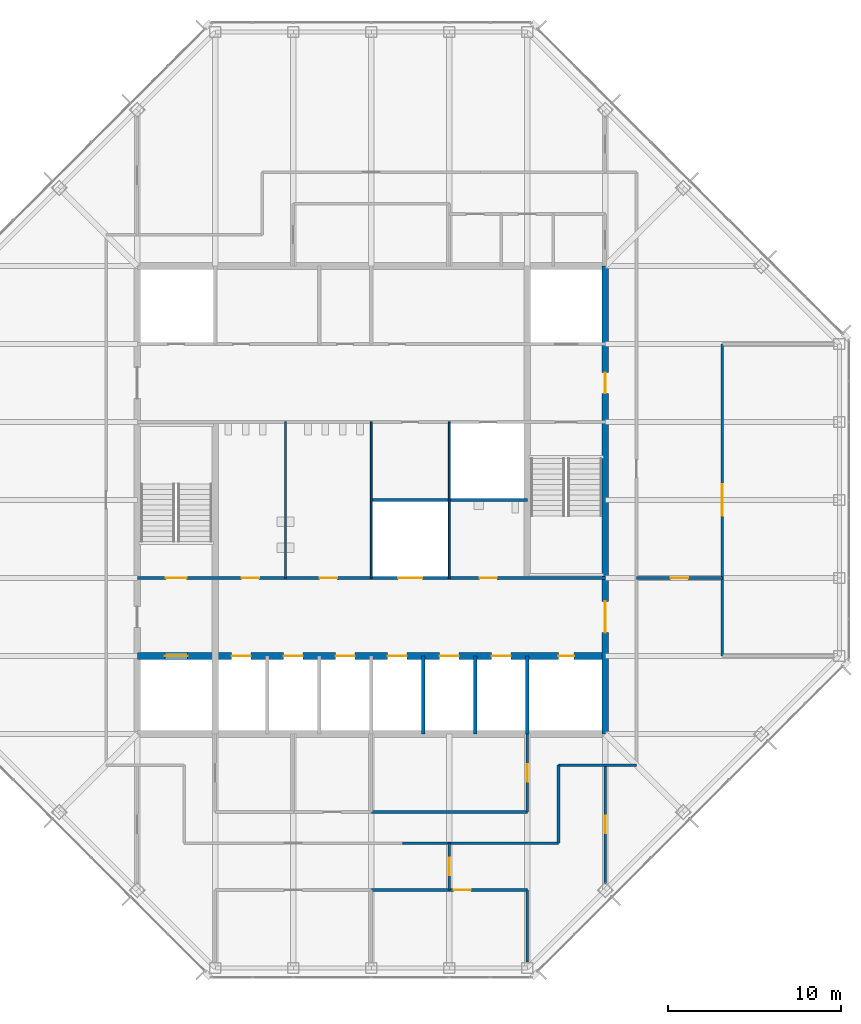
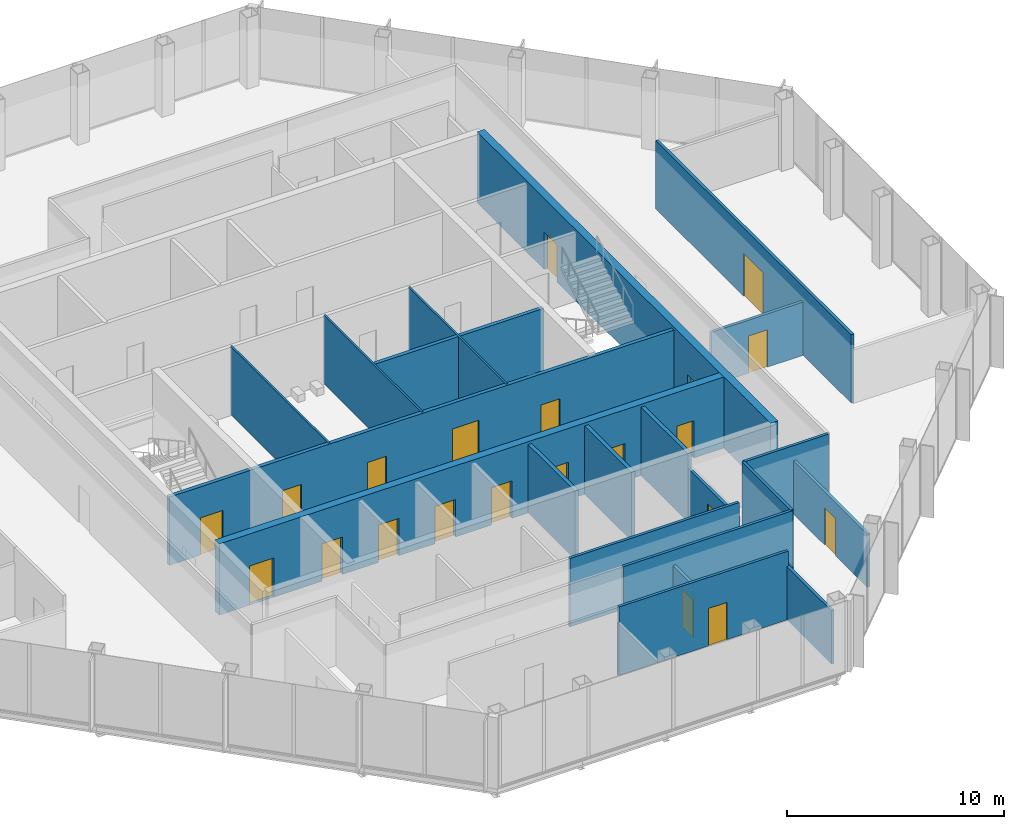
# One storey, part 10 of 14: 21 doors, 21 walls, 21 openings.
"""IFC4 building model written with IfcOpenShell, lengths in metres."""

import ifcopenshell
import ifcopenshell.guid

model = None  # the IFC model being written
_history = None  # IfcOwnerHistory: only IFC2X3 demands one
_inside = {}  # id of a spatial element -> (the spatial element, [elements in it])
_under = {}  # id of a project, library or spatial element -> (it, [spatial elements below it])
_declared = {}  # id of a project -> (the project, [libraries it declares])
_typed = {}  # id of a type object -> (the type object, [elements of that type])
_made_of = {}  # id of a material, layer set ... -> (it, [elements and type objects made of it])


def new_model(schema):
    """Start an empty IFC model of exactly this schema.

    Asked for "IFC4X3", IfcOpenShell would pick the latest addendum, in which some entities
    have other attributes; the version numbers below select the first issue.
    IFC2X3 requires an IfcOwnerHistory on every rooted entity: one is made here for all.
    """
    global model, _history
    if schema == "IFC4X3":
        model = ifcopenshell.file(schema_version=(4, 3, 0, 0))
    else:
        model = ifcopenshell.file(schema=schema)
    _inside.clear()
    _under.clear()
    _declared.clear()
    _typed.clear()
    _made_of.clear()
    _history = None
    if model.schema == "IFC2X3":
        org = make("IfcOrganization", Name="unknown")
        user = make(
            "IfcPersonAndOrganization",
            ThePerson=make("IfcPerson", FamilyName="unknown"),
            TheOrganization=org,
        )
        app = make(
            "IfcApplication",
            ApplicationDeveloper=org,
            Version="unknown",
            ApplicationFullName="unknown",
            ApplicationIdentifier="unknown",
        )
        _history = make(
            "IfcOwnerHistory",
            OwningUser=user,
            OwningApplication=app,
            ChangeAction="ADDED",
            CreationDate=0,
        )
    return model


def make(cls, **values):
    """One entity of the class cls with the attributes given. An attribute that is None is left unset."""
    return model.create_entity(
        cls, **{name: value for name, value in values.items() if value is not None}
    )


def rooted(cls, **values):
    """An entity with a GlobalId (a new one), such as an element, a storey or a relation."""
    return make(cls, GlobalId=ifcopenshell.guid.new(), OwnerHistory=_history, **values)


def si_unit(unit_type, name, prefix=None):
    """IfcSIUnit, for example si_unit("LENGTHUNIT", "METRE", prefix="MILLI")."""
    return make("IfcSIUnit", UnitType=unit_type, Prefix=prefix, Name=name)


def assignment(units):
    """IfcUnitAssignment: the units of a project."""
    return None if units is None else make("IfcUnitAssignment", Units=units)


def point(xyz):
    """IfcCartesianPoint."""
    return None if xyz is None else make("IfcCartesianPoint", Coordinates=xyz)


def direction(xyz):
    """IfcDirection."""
    return None if xyz is None else make("IfcDirection", DirectionRatios=xyz)


def frame(location, z_axis=None, x_axis=None):
    """IfcAxis2Placement3D, a coordinate frame: its origin and axes. An axis left out is left unset."""
    return make(
        "IfcAxis2Placement3D",
        Location=point(location),
        Axis=direction(z_axis),
        RefDirection=direction(x_axis),
    )


def frame_2d(location, x_axis=None):
    """IfcAxis2Placement2D, a coordinate frame in the plane: its origin and x axis."""
    return make(
        "IfcAxis2Placement2D", Location=point(location), RefDirection=direction(x_axis)
    )


def origin():
    """The frame at (0, 0, 0) with its axes left unset."""
    return frame((0.0, 0.0, 0.0))


def place(relative_to, where):
    """IfcLocalPlacement: puts the frame where relative to a parent placement (None: the world)."""
    return make(
        "IfcLocalPlacement", PlacementRelTo=relative_to, RelativePlacement=where
    )


def context(
    kind, dimensions, precision=None, world=None, true_north=None, identifier=None
):
    """IfcGeometricRepresentationContext, for example the 3D "Model" context."""
    return make(
        "IfcGeometricRepresentationContext",
        ContextIdentifier=identifier,
        ContextType=kind,
        CoordinateSpaceDimension=dimensions,
        Precision=precision,
        WorldCoordinateSystem=world,
        TrueNorth=true_north,
    )


def subcontext(parent, identifier, kind, view, scale=None):
    """IfcGeometricRepresentationSubContext, for example "Body" below "Model"."""
    return make(
        "IfcGeometricRepresentationSubContext",
        ContextIdentifier=identifier,
        ContextType=kind,
        ParentContext=parent,
        TargetScale=scale,
        TargetView=view,
    )


def project(units=None, contexts=None):
    """IfcProject with its units and contexts."""
    return rooted(
        "IfcProject",
        Name="project",
        RepresentationContexts=contexts,
        UnitsInContext=assignment(units),
    )


def spatial(cls, under=None, at=None, **own):
    """A site, building, storey or space (cls), placed at a placement, below another one or the project."""
    s = rooted(cls, ObjectPlacement=at, **own)
    if under is not None:
        _under.setdefault(under.id(), (under, []))[1].append(s)
    return s


def profile(cls, at=None, kind="AREA", **sizes):
    """A parametric profile (cls). Its sizes go by their IFC names, for example OverallWidth=200.0."""
    return make(cls, ProfileType=kind, Position=at, **sizes)


def rectangle(**sizes):
    """IfcRectangleProfileDef."""
    return profile("IfcRectangleProfileDef", **sizes)


def extrude(swept, where, along, depth):
    """IfcExtrudedAreaSolid: the profile swept, set in the frame where, extruded along a direction by depth."""
    return make(
        "IfcExtrudedAreaSolid",
        SweptArea=swept,
        Position=where,
        ExtrudedDirection=direction(along),
        Depth=depth,
    )


def shape(context_of_items, identifier, shape_type, items):
    """IfcShapeRepresentation: the items that make up one representation, for example the "Body"."""
    return make(
        "IfcShapeRepresentation",
        ContextOfItems=context_of_items,
        RepresentationIdentifier=identifier,
        RepresentationType=shape_type,
        Items=items,
    )


def material(Name=None, Category=None):
    """IfcMaterial."""
    return make("IfcMaterial", Name=Name, Category=Category)


def layer(
    of_material, thickness, ventilated=None, Name=None, Category=None, Priority=None
):
    """IfcMaterialLayer: one layer of a wall or slab, of a material (None: an air gap)."""
    return make(
        "IfcMaterialLayer",
        Material=of_material,
        LayerThickness=thickness,
        IsVentilated=ventilated,
        Name=Name,
        Category=Category,
        Priority=Priority,
    )


def layer_set(layers, Name=None):
    """IfcMaterialLayerSet."""
    return make("IfcMaterialLayerSet", MaterialLayers=layers, LayerSetName=Name)


def made_of(thing, what):
    """Note that an element or type object is made of a material, layer set ...; save() writes the relation."""
    if what is not None:
        _made_of.setdefault(what.id(), (what, []))[1].append(thing)
    return thing


def type_object(cls, material=None, **own):
    """A type object (cls), such as IfcWallType, which elements share."""
    return made_of(rooted(cls, **own), material)


def element(
    cls,
    number,
    at=None,
    inside=None,
    cuts=None,
    type_object=None,
    material=None,
    context=None,
    identifier="Body",
    shape_type=None,
    held_by="IfcProductDefinitionShape",
    body=None,
    shapes=None,
    **own,
):
    """One element of the class cls, such as IfcWall. Its Tag is "e" and its number.

    at: its placement. inside: the storey or other place that contains it. cuts: it is an
    opening in that element (IfcRelVoidsElement). A single representation is given by context,
    identifier, shape_type and body (its items); several are given by shapes. held_by: the class
    of the entity that holds the representations. save() writes the other relations.
    """
    e = rooted(cls, Tag="e%d" % number, ObjectPlacement=at, **own)
    if body is not None:
        shapes = [shape(context, identifier, shape_type, body)]
    if shapes is not None:
        e.Representation = make(held_by, Representations=shapes)
    if inside is not None:
        _inside.setdefault(inside.id(), (inside, []))[1].append(e)
    if cuts is not None:
        rooted(
            "IfcRelVoidsElement", RelatingBuildingElement=cuts, RelatedOpeningElement=e
        )
    if type_object is not None:
        _typed.setdefault(type_object.id(), (type_object, []))[1].append(e)
    return made_of(e, material)


def fill(opening, filler):
    """IfcRelFillsElement: the door or window that sits in an opening."""
    return rooted(
        "IfcRelFillsElement",
        RelatingOpeningElement=opening,
        RelatedBuildingElement=filler,
    )


def aggregate(whole, parts):
    """IfcRelAggregates: a whole, such as a stair, and the parts it consists of."""
    return rooted("IfcRelAggregates", RelatingObject=whole, RelatedObjects=parts)


def save(model, path):
    """Write the relations noted so far, then the file.

    IfcRelAggregates (storeys below a building ...), IfcRelContainedInSpatialStructure (elements
    in a storey), IfcRelDefinesByType, IfcRelAssociatesMaterial and IfcRelDeclares: one each for
    every whole, place, type object, material and project.
    """
    for whole, parts in _under.values():
        aggregate(whole, parts)
    for where, things in _inside.values():
        rooted(
            "IfcRelContainedInSpatialStructure",
            RelatedElements=things,
            RelatingStructure=where,
        )
    for kind, things in _typed.values():
        rooted("IfcRelDefinesByType", RelatedObjects=things, RelatingType=kind)
    for what, things in _made_of.values():
        rooted("IfcRelAssociatesMaterial", RelatedObjects=things, RelatingMaterial=what)
    for by, libraries in _declared.values():
        rooted("IfcRelDeclares", RelatingContext=by, RelatedDefinitions=libraries)
    model.write(path)


model = new_model("IFC4")

# Units and contexts
model_context = context("Model", 3, precision=1e-05, world=origin(), true_north=direction((0.0, 1.0)))
body_context = subcontext(model_context, "Body", "Model", "MODEL_VIEW")
ifc_project = project(units=[si_unit("LENGTHUNIT", "METRE"), si_unit("AREAUNIT", "SQUARE_METRE"), si_unit("VOLUMEUNIT", "CUBIC_METRE"), si_unit("PLANEANGLEUNIT", "RADIAN"), si_unit("MASSUNIT", "GRAM", prefix="KILO")], contexts=[model_context])

# Site, building, storey
site_placement = place(None, origin())
site = spatial("IfcSite", under=ifc_project, at=site_placement, CompositionType="ELEMENT")
building_placement = place(site_placement, origin())
building = spatial("IfcBuilding", under=site, at=building_placement, Name="Corais Broadcast Tower", CompositionType="ELEMENT")
storey_placement = place(building_placement, frame((0.0, 0.0, 230.60009765625)))
storey = spatial("IfcBuildingStorey", under=building, at=storey_placement, Name="L53", CompositionType="ELEMENT", Elevation=230.60009765625)

# Wall
ifc_material_1 = material(Name="Concrete blockwork class A, grouted, two-hour", Category="masonry")
ifc_layer_1 = layer(ifc_material_1, 0.199951171875)
ifc_layer_set_1 = layer_set([ifc_layer_1], Name="Concrete blockwork class A, grouted, two-hour")
wall_type_1 = type_object("IfcWallType", Name="Core lobby wall 200", PredefinedType="SOLIDWALL", material=ifc_layer_set_1)
wall_1_placement = place(storey_placement, frame((36.0, 13.5, 0.0), z_axis=(0.0, 0.0, 1.0), x_axis=(0.0, 1.0, 0.0)))
element("IfcWall", 1, at=wall_1_placement, inside=storey, type_object=wall_type_1, Name="CL3 core shaft wall X36A L53", PredefinedType="SOLIDWALL", context=body_context, shape_type="SweptSolid", body=[
    extrude(rectangle(XDim=4.5, YDim=0.199951171875, at=frame_2d((2.25, 0.0))), origin(), (0.0, 0.0, 1.0), 3.83984375),
])

# Wall, openings, doors
wall_2_placement = place(storey_placement, frame((13.5, 22.5, 0.0), z_axis=(0.0, 0.0, 1.0), x_axis=(1.0, 0.0, 0.0)))
wall_2 = element("IfcWall", 2, at=wall_2_placement, inside=storey, type_object=wall_type_1, Name="CL3 core lobby wall Y225 L53", PredefinedType="SOLIDWALL", context=body_context, shape_type="SweptSolid", body=[
    extrude(rectangle(XDim=27.0, YDim=0.199951171875, at=frame_2d((13.5, 0.0))), origin(), (0.0, 0.0, 1.0), 3.83984375),
])
opening_1_placement = place(wall_2_placement, frame((1.64990234375, 0.0, 0.0)))
opening_1 = element("IfcOpeningElement", 3, at=opening_1_placement, cuts=wall_2, Name="Opening FD1", PredefinedType="OPENING", context=body_context, shape_type="SweptSolid", body=[
    extrude(rectangle(XDim=1.199951171875, YDim=2.10009765625, at=frame_2d((0.60009765625, 1.050048828125))), frame((0.0, 0.10986328125, 0.0), z_axis=(0.0, -1.0, 0.0), x_axis=(1.0, 0.0, 0.0)), (0.0, 0.0, 1.0), 0.219970703125),
])
opening_2_placement = place(wall_2_placement, frame((6.02490234375, 0.0, 0.0)))
opening_2 = element("IfcOpeningElement", 4, at=opening_2_placement, cuts=wall_2, Name="Opening WD1", PredefinedType="OPENING", context=body_context, shape_type="SweptSolid", body=[
    extrude(rectangle(XDim=1.0, YDim=2.10009765625, at=frame_2d((0.5, 1.050048828125))), frame((0.0, 0.10986328125, 0.0), z_axis=(0.0, -1.0, 0.0), x_axis=(1.0, 0.0, 0.0)), (0.0, 0.0, 1.0), 0.219970703125),
])
opening_3_placement = place(wall_2_placement, frame((10.52490234375, 0.0, 0.0)))
opening_3 = element("IfcOpeningElement", 5, at=opening_3_placement, cuts=wall_2, Name="Opening WD1", PredefinedType="OPENING", context=body_context, shape_type="SweptSolid", body=[
    extrude(rectangle(XDim=1.0, YDim=2.10009765625, at=frame_2d((0.5, 1.050048828125))), frame((0.0, 0.10986328125, 0.0), z_axis=(0.0, -1.0, 0.0), x_axis=(1.0, 0.0, 0.0)), (0.0, 0.0, 1.0), 0.219970703125),
])
opening_4_placement = place(wall_2_placement, frame((19.75, 0.0, 0.0)))
opening_4 = element("IfcOpeningElement", 6, at=opening_4_placement, cuts=wall_2, Name="Opening WD1", PredefinedType="OPENING", context=body_context, shape_type="SweptSolid", body=[
    extrude(rectangle(XDim=1.0, YDim=2.10009765625, at=frame_2d((0.5, 1.050048828125))), frame((0.0, 0.10986328125, 0.0), z_axis=(0.0, -1.0, 0.0), x_axis=(1.0, 0.0, 0.0)), (0.0, 0.0, 1.0), 0.219970703125),
])
opening_5_placement = place(wall_2_placement, frame((15.050048828125, 0.0, 0.0)))
opening_5 = element("IfcOpeningElement", 7, at=opening_5_placement, cuts=wall_2, Name="Opening LD3", PredefinedType="OPENING", context=body_context, shape_type="SweptSolid", body=[
    extrude(rectangle(XDim=1.39990234375, YDim=2.39990234375, at=frame_2d((0.699951171875, 1.199951171875))), frame((0.0, 0.10986328125, 0.0), z_axis=(0.0, -1.0, 0.0), x_axis=(1.0, 0.0, 0.0)), (0.0, 0.0, 1.0), 0.219970703125),
])
ifc_material_2 = material(Name="Steel fire door", Category="steel")
door_type_1 = type_object("IfcDoorType", Name="Fire door 1200x2100", OperationType="SINGLE_SWING_LEFT", PredefinedType="DOOR", material=ifc_material_2)
door_1_placement = place(opening_1_placement, origin())
door_1 = element("IfcDoor", 8, at=door_1_placement, inside=storey, type_object=door_type_1, Name="FD1 stair A door L53", OperationType="SINGLE_SWING_LEFT", OverallHeight=2.10009765625, OverallWidth=1.199951171875, PredefinedType="DOOR", context=body_context, shape_type="SweptSolid", body=[
    extrude(rectangle(XDim=1.199951171875, YDim=2.10009765625, at=frame_2d((0.60009765625, 1.050048828125))), frame((0.0, 0.02490234375, 0.0), z_axis=(0.0, -1.0, 0.0), x_axis=(1.0, 0.0, 0.0)), (0.0, 0.0, 1.0), 0.050048828125),
])
fill(opening_1, door_1)
ifc_material_3 = material(Name="Stainless steel lift door", Category="steel")
door_type_2 = type_object("IfcDoorType", Name="Service lift landing door 1400x2400", OperationType="SLIDING_TO_LEFT", PredefinedType="DOOR", material=ifc_material_3)
door_2_placement = place(opening_5_placement, origin())
door_2 = element("IfcDoor", 9, at=door_2_placement, inside=storey, type_object=door_type_2, Name="LD3 SL1 landing door L53", OperationType="SLIDING_TO_LEFT", OverallHeight=2.39990234375, OverallWidth=1.39990234375, PredefinedType="DOOR", context=body_context, shape_type="SweptSolid", body=[
    extrude(rectangle(XDim=1.39990234375, YDim=2.39990234375, at=frame_2d((0.699951171875, 1.199951171875))), frame((0.0, 0.02490234375, 0.0), z_axis=(0.0, -1.0, 0.0), x_axis=(1.0, 0.0, 0.0)), (0.0, 0.0, 1.0), 0.050048828125),
])
fill(opening_5, door_2)
ifc_material_4 = material(Name="Timber door", Category="wood")
door_type_3 = type_object("IfcDoorType", Name="Toilet door 1000x2100", OperationType="SINGLE_SWING_LEFT", PredefinedType="DOOR", material=ifc_material_4)
door_3_placement = place(opening_2_placement, origin())
door_3 = element("IfcDoor", 10, at=door_3_placement, inside=storey, type_object=door_type_3, Name="WD1 WC male door L53", OperationType="SINGLE_SWING_LEFT", OverallHeight=2.10009765625, OverallWidth=1.0, PredefinedType="DOOR", context=body_context, shape_type="SweptSolid", body=[
    extrude(rectangle(XDim=1.0, YDim=2.10009765625, at=frame_2d((0.5, 1.050048828125))), frame((0.0, 0.02490234375, 0.0), z_axis=(0.0, -1.0, 0.0), x_axis=(1.0, 0.0, 0.0)), (0.0, 0.0, 1.0), 0.050048828125),
])
fill(opening_2, door_3)
door_4_placement = place(opening_3_placement, origin())
door_4 = element("IfcDoor", 11, at=door_4_placement, inside=storey, type_object=door_type_3, Name="WD1 WC female door L53", OperationType="SINGLE_SWING_LEFT", OverallHeight=2.10009765625, OverallWidth=1.0, PredefinedType="DOOR", context=body_context, shape_type="SweptSolid", body=[
    extrude(rectangle(XDim=1.0, YDim=2.10009765625, at=frame_2d((0.5, 1.050048828125))), frame((0.0, 0.02490234375, 0.0), z_axis=(0.0, -1.0, 0.0), x_axis=(1.0, 0.0, 0.0)), (0.0, 0.0, 1.0), 0.050048828125),
])
fill(opening_3, door_4)
door_5_placement = place(opening_4_placement, origin())
door_5 = element("IfcDoor", 12, at=door_5_placement, inside=storey, type_object=door_type_3, Name="WD1 accessible WC door L53", OperationType="SINGLE_SWING_RIGHT", OverallHeight=2.10009765625, OverallWidth=1.0, PredefinedType="DOOR", context=body_context, shape_type="SweptSolid", body=[
    extrude(rectangle(XDim=1.0, YDim=2.10009765625, at=frame_2d((0.5, 1.050048828125))), frame((0.0, 0.02490234375, 0.0), z_axis=(0.0, -1.0, 0.0), x_axis=(1.0, 0.0, 0.0)), (0.0, 0.0, 1.0), 0.050048828125),
])
fill(opening_4, door_5)

ifc_material_5 = material(Name="Concrete C50/60", Category="concrete")
ifc_layer_2 = layer(ifc_material_5, 0.39990234375)
ifc_layer_set_2 = layer_set([ifc_layer_2], Name="Concrete C50/60")
wall_type_2 = type_object("IfcWallType", Name="Core wall 400", PredefinedType="SHEAR", material=ifc_layer_set_2)
wall_3_placement = place(storey_placement, frame((40.5, 13.5, 0.0), z_axis=(0.0, 0.0, 1.0), x_axis=(0.0, 1.0, 0.0)))
wall_3 = element("IfcWall", 13, at=wall_3_placement, inside=storey, type_object=wall_type_2, Name="CR400 core wall E L53", PredefinedType="SHEAR", context=body_context, shape_type="SweptSolid", body=[
    extrude(rectangle(XDim=27.0, YDim=0.39990234375, at=frame_2d((13.5, 0.0))), origin(), (0.0, 0.0, 1.0), 4.0),
])
opening_6_placement = place(wall_3_placement, frame((5.85009765625, 0.0, 0.0)))
opening_6 = element("IfcOpeningElement", 14, at=opening_6_placement, cuts=wall_3, Name="Opening FD2", PredefinedType="OPENING", context=body_context, shape_type="SweptSolid", body=[
    extrude(rectangle(XDim=1.800048828125, YDim=2.10009765625, at=frame_2d((0.89990234375, 1.050048828125))), frame((0.0, 0.2099609375, 0.0), z_axis=(0.0, -1.0, 0.0), x_axis=(1.0, 0.0, 0.0)), (0.0, 0.0, 1.0), 0.419921875),
])
opening_7_placement = place(wall_3_placement, frame((19.64990234375, 0.0, 0.0)))
opening_7 = element("IfcOpeningElement", 15, at=opening_7_placement, cuts=wall_3, Name="Opening FD1", PredefinedType="OPENING", context=body_context, shape_type="SweptSolid", body=[
    extrude(rectangle(XDim=1.199951171875, YDim=2.10009765625, at=frame_2d((0.60009765625, 1.050048828125))), frame((0.0, 0.2099609375, 0.0), z_axis=(0.0, -1.0, 0.0), x_axis=(1.0, 0.0, 0.0)), (0.0, 0.0, 1.0), 0.419921875),
])
door_6_placement = place(opening_7_placement, origin())
door_6 = element("IfcDoor", 16, at=door_6_placement, inside=storey, type_object=door_type_1, Name="FD1 fire lobby B door L53", OperationType="SINGLE_SWING_RIGHT", OverallHeight=2.10009765625, OverallWidth=1.199951171875, PredefinedType="DOOR", context=body_context, shape_type="SweptSolid", body=[
    extrude(rectangle(XDim=1.199951171875, YDim=2.10009765625, at=frame_2d((0.60009765625, 1.050048828125))), frame((0.0, 0.02490234375, 0.0), z_axis=(0.0, -1.0, 0.0), x_axis=(1.0, 0.0, 0.0)), (0.0, 0.0, 1.0), 0.050048828125),
])
fill(opening_7, door_6)
ifc_material_6 = material(Name="Steel fire door", Category="steel")
door_type_4 = type_object("IfcDoorType", Name="Fire door pair 1800x2100", OperationType="DOUBLE_DOOR_SINGLE_SWING", PredefinedType="DOOR", material=ifc_material_6)
door_7_placement = place(opening_6_placement, origin())
door_7 = element("IfcDoor", 17, at=door_7_placement, inside=storey, type_object=door_type_4, Name="FD2 lift lobby door L53", OperationType="SINGLE_SWING_LEFT", OverallHeight=2.10009765625, OverallWidth=1.800048828125, PredefinedType="DOOR", context=body_context, shape_type="SweptSolid", body=[
    extrude(rectangle(XDim=1.800048828125, YDim=2.10009765625, at=frame_2d((0.89990234375, 1.050048828125))), frame((0.0, 0.02490234375, 0.0), z_axis=(0.0, -1.0, 0.0), x_axis=(1.0, 0.0, 0.0)), (0.0, 0.0, 1.0), 0.050048828125),
])
fill(opening_6, door_7)

wall_4_placement = place(storey_placement, frame((13.5, 18.0, 0.0), z_axis=(0.0, 0.0, 1.0), x_axis=(1.0, 0.0, 0.0)))
wall_4 = element("IfcWall", 18, at=wall_4_placement, inside=storey, type_object=wall_type_2, Name="CR400 core wall Y18 L53", PredefinedType="SHEAR", context=body_context, shape_type="SweptSolid", body=[
    extrude(rectangle(XDim=27.0, YDim=0.39990234375, at=frame_2d((13.5, 0.0))), origin(), (0.0, 0.0, 1.0), 4.0),
])
opening_8_placement = place(wall_4_placement, frame((24.300048828125, 0.0, 0.0)))
opening_8 = element("IfcOpeningElement", 19, at=opening_8_placement, cuts=wall_4, Name="Opening RD1", PredefinedType="OPENING", context=body_context, shape_type="SweptSolid", body=[
    extrude(rectangle(XDim=0.89990234375, YDim=2.10009765625, at=frame_2d((0.449951171875, 1.050048828125))), frame((0.0, 0.2099609375, 0.0), z_axis=(0.0, -1.0, 0.0), x_axis=(1.0, 0.0, 0.0)), (0.0, 0.0, 1.0), 0.419921875),
])
opening_9_placement = place(wall_4_placement, frame((5.449951171875, 0.0, 0.0)))
opening_9 = element("IfcOpeningElement", 20, at=opening_9_placement, cuts=wall_4, Name="Opening LD1", PredefinedType="OPENING", context=body_context, shape_type="SweptSolid", body=[
    extrude(rectangle(XDim=1.10009765625, YDim=2.10009765625, at=frame_2d((0.550048828125, 1.050048828125))), frame((0.0, 0.2099609375, 0.0), z_axis=(0.0, -1.0, 0.0), x_axis=(1.0, 0.0, 0.0)), (0.0, 0.0, 1.0), 0.419921875),
])
opening_10_placement = place(wall_4_placement, frame((8.449951171875, 0.0, 0.0)))
opening_10 = element("IfcOpeningElement", 21, at=opening_10_placement, cuts=wall_4, Name="Opening LD1", PredefinedType="OPENING", context=body_context, shape_type="SweptSolid", body=[
    extrude(rectangle(XDim=1.10009765625, YDim=2.10009765625, at=frame_2d((0.550048828125, 1.050048828125))), frame((0.0, 0.2099609375, 0.0), z_axis=(0.0, -1.0, 0.0), x_axis=(1.0, 0.0, 0.0)), (0.0, 0.0, 1.0), 0.419921875),
])
opening_11_placement = place(wall_4_placement, frame((11.449951171875, 0.0, 0.0)))
opening_11 = element("IfcOpeningElement", 22, at=opening_11_placement, cuts=wall_4, Name="Opening LD1", PredefinedType="OPENING", context=body_context, shape_type="SweptSolid", body=[
    extrude(rectangle(XDim=1.10009765625, YDim=2.10009765625, at=frame_2d((0.550048828125, 1.050048828125))), frame((0.0, 0.2099609375, 0.0), z_axis=(0.0, -1.0, 0.0), x_axis=(1.0, 0.0, 0.0)), (0.0, 0.0, 1.0), 0.419921875),
])
opening_12_placement = place(wall_4_placement, frame((14.449951171875, 0.0, 0.0)))
opening_12 = element("IfcOpeningElement", 23, at=opening_12_placement, cuts=wall_4, Name="Opening LD1", PredefinedType="OPENING", context=body_context, shape_type="SweptSolid", body=[
    extrude(rectangle(XDim=1.10009765625, YDim=2.10009765625, at=frame_2d((0.550048828125, 1.050048828125))), frame((0.0, 0.2099609375, 0.0), z_axis=(0.0, -1.0, 0.0), x_axis=(1.0, 0.0, 0.0)), (0.0, 0.0, 1.0), 0.419921875),
])
opening_13_placement = place(wall_4_placement, frame((17.449951171875, 0.0, 0.0)))
opening_13 = element("IfcOpeningElement", 24, at=opening_13_placement, cuts=wall_4, Name="Opening LD1", PredefinedType="OPENING", context=body_context, shape_type="SweptSolid", body=[
    extrude(rectangle(XDim=1.10009765625, YDim=2.10009765625, at=frame_2d((0.550048828125, 1.050048828125))), frame((0.0, 0.2099609375, 0.0), z_axis=(0.0, -1.0, 0.0), x_axis=(1.0, 0.0, 0.0)), (0.0, 0.0, 1.0), 0.419921875),
])
opening_14_placement = place(wall_4_placement, frame((20.449951171875, 0.0, 0.0)))
opening_14 = element("IfcOpeningElement", 25, at=opening_14_placement, cuts=wall_4, Name="Opening LD1", PredefinedType="OPENING", context=body_context, shape_type="SweptSolid", body=[
    extrude(rectangle(XDim=1.10009765625, YDim=2.10009765625, at=frame_2d((0.550048828125, 1.050048828125))), frame((0.0, 0.2099609375, 0.0), z_axis=(0.0, -1.0, 0.0), x_axis=(1.0, 0.0, 0.0)), (0.0, 0.0, 1.0), 0.419921875),
])
opening_15_placement = place(wall_4_placement, frame((1.60009765625, 0.0, 0.0)))
opening_15 = element("IfcOpeningElement", 26, at=opening_15_placement, cuts=wall_4, Name="Opening LD2", PredefinedType="OPENING", context=body_context, shape_type="SweptSolid", body=[
    extrude(rectangle(XDim=1.300048828125, YDim=2.199951171875, at=frame_2d((0.64990234375, 1.10009765625))), frame((0.0, 0.2099609375, 0.0), z_axis=(0.0, -1.0, 0.0), x_axis=(1.0, 0.0, 0.0)), (0.0, 0.0, 1.0), 0.419921875),
])
ifc_material_7 = material(Name="Stainless steel lift door", Category="steel")
door_type_5 = type_object("IfcDoorType", Name="Lift landing door 1100x2100", OperationType="SLIDING_TO_LEFT", PredefinedType="DOOR", material=ifc_material_7)
door_8_placement = place(opening_9_placement, origin())
door_8 = element("IfcDoor", 27, at=door_8_placement, inside=storey, type_object=door_type_5, Name="LD1 PH1 landing door L53", OperationType="SLIDING_TO_LEFT", OverallHeight=2.10009765625, OverallWidth=1.10009765625, PredefinedType="DOOR", context=body_context, shape_type="SweptSolid", body=[
    extrude(rectangle(XDim=1.10009765625, YDim=2.10009765625, at=frame_2d((0.550048828125, 1.050048828125))), frame((0.0, 0.02490234375, 0.0), z_axis=(0.0, -1.0, 0.0), x_axis=(1.0, 0.0, 0.0)), (0.0, 0.0, 1.0), 0.050048828125),
])
fill(opening_9, door_8)
door_9_placement = place(opening_10_placement, origin())
door_9 = element("IfcDoor", 28, at=door_9_placement, inside=storey, type_object=door_type_5, Name="LD1 PH2 landing door L53", OperationType="SLIDING_TO_LEFT", OverallHeight=2.10009765625, OverallWidth=1.10009765625, PredefinedType="DOOR", context=body_context, shape_type="SweptSolid", body=[
    extrude(rectangle(XDim=1.10009765625, YDim=2.10009765625, at=frame_2d((0.550048828125, 1.050048828125))), frame((0.0, 0.02490234375, 0.0), z_axis=(0.0, -1.0, 0.0), x_axis=(1.0, 0.0, 0.0)), (0.0, 0.0, 1.0), 0.050048828125),
])
fill(opening_10, door_9)
door_10_placement = place(opening_11_placement, origin())
door_10 = element("IfcDoor", 29, at=door_10_placement, inside=storey, type_object=door_type_5, Name="LD1 PH3 landing door L53", OperationType="SLIDING_TO_LEFT", OverallHeight=2.10009765625, OverallWidth=1.10009765625, PredefinedType="DOOR", context=body_context, shape_type="SweptSolid", body=[
    extrude(rectangle(XDim=1.10009765625, YDim=2.10009765625, at=frame_2d((0.550048828125, 1.050048828125))), frame((0.0, 0.02490234375, 0.0), z_axis=(0.0, -1.0, 0.0), x_axis=(1.0, 0.0, 0.0)), (0.0, 0.0, 1.0), 0.050048828125),
])
fill(opening_11, door_10)
door_11_placement = place(opening_12_placement, origin())
door_11 = element("IfcDoor", 30, at=door_11_placement, inside=storey, type_object=door_type_5, Name="LD1 PH4 landing door L53", OperationType="SLIDING_TO_LEFT", OverallHeight=2.10009765625, OverallWidth=1.10009765625, PredefinedType="DOOR", context=body_context, shape_type="SweptSolid", body=[
    extrude(rectangle(XDim=1.10009765625, YDim=2.10009765625, at=frame_2d((0.550048828125, 1.050048828125))), frame((0.0, 0.02490234375, 0.0), z_axis=(0.0, -1.0, 0.0), x_axis=(1.0, 0.0, 0.0)), (0.0, 0.0, 1.0), 0.050048828125),
])
fill(opening_12, door_11)
door_12_placement = place(opening_13_placement, origin())
door_12 = element("IfcDoor", 31, at=door_12_placement, inside=storey, type_object=door_type_5, Name="LD1 PH5 landing door L53", OperationType="SLIDING_TO_LEFT", OverallHeight=2.10009765625, OverallWidth=1.10009765625, PredefinedType="DOOR", context=body_context, shape_type="SweptSolid", body=[
    extrude(rectangle(XDim=1.10009765625, YDim=2.10009765625, at=frame_2d((0.550048828125, 1.050048828125))), frame((0.0, 0.02490234375, 0.0), z_axis=(0.0, -1.0, 0.0), x_axis=(1.0, 0.0, 0.0)), (0.0, 0.0, 1.0), 0.050048828125),
])
fill(opening_13, door_12)
door_13_placement = place(opening_14_placement, origin())
door_13 = element("IfcDoor", 32, at=door_13_placement, inside=storey, type_object=door_type_5, Name="LD1 PH6 landing door L53", OperationType="SLIDING_TO_LEFT", OverallHeight=2.10009765625, OverallWidth=1.10009765625, PredefinedType="DOOR", context=body_context, shape_type="SweptSolid", body=[
    extrude(rectangle(XDim=1.10009765625, YDim=2.10009765625, at=frame_2d((0.550048828125, 1.050048828125))), frame((0.0, 0.02490234375, 0.0), z_axis=(0.0, -1.0, 0.0), x_axis=(1.0, 0.0, 0.0)), (0.0, 0.0, 1.0), 0.050048828125),
])
fill(opening_14, door_13)
ifc_material_8 = material(Name="Stainless steel lift door", Category="steel")
door_type_6 = type_object("IfcDoorType", Name="Lift landing door 1300x2200", OperationType="SLIDING_TO_LEFT", PredefinedType="DOOR", material=ifc_material_8)
door_14_placement = place(opening_15_placement, origin())
door_14 = element("IfcDoor", 33, at=door_14_placement, inside=storey, type_object=door_type_6, Name="LD2 FL1 landing door L53", OperationType="SLIDING_TO_LEFT", OverallHeight=2.199951171875, OverallWidth=1.300048828125, PredefinedType="DOOR", context=body_context, shape_type="SweptSolid", body=[
    extrude(rectangle(XDim=1.300048828125, YDim=2.199951171875, at=frame_2d((0.64990234375, 1.10009765625))), frame((0.0, 0.02490234375, 0.0), z_axis=(0.0, -1.0, 0.0), x_axis=(1.0, 0.0, 0.0)), (0.0, 0.0, 1.0), 0.050048828125),
])
fill(opening_15, door_14)
ifc_material_9 = material(Name="Steel fire door", Category="steel")
door_type_7 = type_object("IfcDoorType", Name="Riser door 900x2100", OperationType="SINGLE_SWING_LEFT", PredefinedType="DOOR", material=ifc_material_9)
door_15_placement = place(opening_8_placement, origin())
door_15 = element("IfcDoor", 34, at=door_15_placement, inside=storey, type_object=door_type_7, Name="RD1 riser door L53", OperationType="SINGLE_SWING_RIGHT", OverallHeight=2.10009765625, OverallWidth=0.89990234375, PredefinedType="DOOR", context=body_context, shape_type="SweptSolid", body=[
    extrude(rectangle(XDim=0.89990234375, YDim=2.10009765625, at=frame_2d((0.449951171875, 1.050048828125))), frame((0.0, 0.02490234375, 0.0), z_axis=(0.0, -1.0, 0.0), x_axis=(1.0, 0.0, 0.0)), (0.0, 0.0, 1.0), 0.050048828125),
])
fill(opening_8, door_15)

# Walls
ifc_material_10 = material(Name="Gypsum board on steel studs", Category="steel")
ifc_layer_3 = layer(ifc_material_10, 0.14990234375)
ifc_layer_set_3 = layer_set([ifc_layer_3], Name="Gypsum board on steel studs")
wall_type_3 = type_object("IfcWallType", Name="Partition 150", PredefinedType="PARTITIONING", material=ifc_layer_set_3)
wall_5_placement = place(storey_placement, frame((28.800048828125, 7.199951171875, 0.0), z_axis=(0.0, 0.0, 1.0), x_axis=(1.0, 0.0, 0.0)))
element("IfcWall", 35, at=wall_5_placement, inside=storey, type_object=wall_type_3, Name="IW3 corridor wall L53", PredefinedType="PARTITIONING", context=body_context, shape_type="SweptSolid", body=[
    extrude(rectangle(XDim=9.0, YDim=0.14990234375, at=frame_2d((4.5, 0.0))), origin(), (0.0, 0.0, 1.0), 3.83984375),
])
for number, where, z_axis, x_axis, name in (
    (36, (37.800048828125, 7.199951171875, 0.0), (0.0, 0.0, 1.0), (0.0, 1.0, 0.0), "IW3 corridor wall L53"),
    (37, (37.800048828125, 11.699951171875, 0.0), (0.0, 0.0, 1.0), (1.0, 0.0, 0.0), "IW3 corridor wall L53"),
):
    element("IfcWall", number, at=place(storey_placement, frame(where, z_axis=z_axis, x_axis=x_axis)), inside=storey, type_object=wall_type_3, Name=name, PredefinedType="PARTITIONING", context=body_context, shape_type="SweptSolid", body=[
        extrude(rectangle(XDim=4.5, YDim=0.14990234375, at=frame_2d((2.25, 0.0))), origin(), (0.0, 0.0, 1.0), 3.83984375),
    ])

# Wall, opening, door
wall_6_placement = place(storey_placement, frame((47.25, 36.0, 0.0), z_axis=(0.0, 0.0, 1.0), x_axis=(0.0, -1.0, 0.0)))
wall_6 = element("IfcWall", 38, at=wall_6_placement, inside=storey, type_object=wall_type_3, Name="IW3 partition L53", PredefinedType="PARTITIONING", context=body_context, shape_type="SweptSolid", body=[
    extrude(rectangle(XDim=18.0, YDim=0.14990234375, at=frame_2d((9.0, 0.0))), origin(), (0.0, 0.0, 1.0), 3.83984375),
])
opening_16_placement = place(wall_6_placement, frame((8.10009765625, 0.0, 0.0)))
opening_16 = element("IfcOpeningElement", 39, at=opening_16_placement, cuts=wall_6, Name="Opening D2", PredefinedType="OPENING", context=body_context, shape_type="SweptSolid", body=[
    extrude(rectangle(XDim=1.800048828125, YDim=2.39990234375, at=frame_2d((0.89990234375, 1.199951171875))), frame((0.0, 0.0849609375, 0.0), z_axis=(0.0, -1.0, 0.0), x_axis=(1.0, 0.0, 0.0)), (0.0, 0.0, 1.0), 0.169921875),
])
ifc_material_11 = material(Name="Timber door", Category="wood")
door_type_8 = type_object("IfcDoorType", Name="Double door 1800x2400", OperationType="DOUBLE_DOOR_SINGLE_SWING", PredefinedType="DOOR", material=ifc_material_11)
door_16_placement = place(opening_16_placement, origin())
door_16 = element("IfcDoor", 40, at=door_16_placement, inside=storey, type_object=door_type_8, Name="D2 Boardroom door", OperationType="SINGLE_SWING_LEFT", OverallHeight=2.39990234375, OverallWidth=1.800048828125, PredefinedType="DOOR", context=body_context, shape_type="SweptSolid", body=[
    extrude(rectangle(XDim=1.800048828125, YDim=2.39990234375, at=frame_2d((0.89990234375, 1.199951171875))), frame((0.0, 0.02490234375, 0.0), z_axis=(0.0, -1.0, 0.0), x_axis=(1.0, 0.0, 0.0)), (0.0, 0.0, 1.0), 0.050048828125),
])
fill(opening_16, door_16)

# Wall
wall_7_placement = place(storey_placement, frame((27.0, 9.0, 0.0), z_axis=(0.0, 0.0, 1.0), x_axis=(1.0, 0.0, 0.0)))
element("IfcWall", 41, at=wall_7_placement, inside=storey, type_object=wall_type_3, Name="IW3 partition L53", PredefinedType="PARTITIONING", context=body_context, shape_type="SweptSolid", body=[
    extrude(rectangle(XDim=9.0, YDim=0.14990234375, at=frame_2d((4.5, 0.0))), origin(), (0.0, 0.0, 1.0), 3.83984375),
])

# Wall, opening, door
wall_8_placement = place(storey_placement, frame((36.0, 9.0, 0.0), z_axis=(0.0, 0.0, 1.0), x_axis=(0.0, 1.0, 0.0)))
wall_8 = element("IfcWall", 42, at=wall_8_placement, inside=storey, type_object=wall_type_3, Name="IW3 partition L53", PredefinedType="PARTITIONING", context=body_context, shape_type="SweptSolid", body=[
    extrude(rectangle(XDim=4.5, YDim=0.14990234375, at=frame_2d((2.25, 0.0))), origin(), (0.0, 0.0, 1.0), 2.989013671875),
])
opening_17_placement = place(wall_8_placement, frame((1.75, 0.0, 0.0)))
opening_17 = element("IfcOpeningElement", 43, at=opening_17_placement, cuts=wall_8, Name="Opening D1", PredefinedType="OPENING", context=body_context, shape_type="SweptSolid", body=[
    extrude(rectangle(XDim=1.0, YDim=2.10009765625, at=frame_2d((0.5, 1.050048828125))), frame((0.0, 0.0849609375, 0.0), z_axis=(0.0, -1.0, 0.0), x_axis=(1.0, 0.0, 0.0)), (0.0, 0.0, 1.0), 0.169921875),
])
ifc_material_12 = material(Name="Timber door", Category="wood")
door_type_9 = type_object("IfcDoorType", Name="Single door 1000x2100", OperationType="SINGLE_SWING_LEFT", PredefinedType="DOOR", material=ifc_material_12)
door_17_placement = place(opening_17_placement, origin())
door_17 = element("IfcDoor", 44, at=door_17_placement, inside=storey, type_object=door_type_9, Name="D1 Meeting room door", OperationType="SINGLE_SWING_LEFT", OverallHeight=2.10009765625, OverallWidth=1.0, PredefinedType="DOOR", context=body_context, shape_type="SweptSolid", body=[
    extrude(rectangle(XDim=1.0, YDim=2.10009765625, at=frame_2d((0.5, 1.050048828125))), frame((0.0, 0.02490234375, 0.0), z_axis=(0.0, -1.0, 0.0), x_axis=(1.0, 0.0, 0.0)), (0.0, 0.0, 1.0), 0.050048828125),
])
fill(opening_17, door_17)

# Wall
wall_9_placement = place(storey_placement, frame((36.0, 0.3349609375, 0.0), z_axis=(0.0, 0.0, 1.0), x_axis=(0.0, 1.0, 0.0)))
element("IfcWall", 45, at=wall_9_placement, inside=storey, type_object=wall_type_3, Name="IW3 partition L53", PredefinedType="PARTITIONING", context=body_context, shape_type="SweptSolid", body=[
    extrude(rectangle(XDim=4.1650390625, YDim=0.14990234375, at=frame_2d((2.08251953125, 0.0))), origin(), (0.0, 0.0, 1.0), 2.989013671875),
])

# Wall, opening, door
wall_10_placement = place(storey_placement, frame((36.0, 4.5, 0.0), z_axis=(0.0, 0.0, 1.0), x_axis=(-1.0, 0.0, 0.0)))
wall_10 = element("IfcWall", 46, at=wall_10_placement, inside=storey, type_object=wall_type_3, Name="IW3 partition L53", PredefinedType="PARTITIONING", context=body_context, shape_type="SweptSolid", body=[
    extrude(rectangle(XDim=9.0, YDim=0.14990234375, at=frame_2d((4.5, 0.0))), origin(), (0.0, 0.0, 1.0), 3.83984375),
])
opening_18_placement = place(wall_10_placement, frame((3.25, 0.0, 0.0)))
opening_18 = element("IfcOpeningElement", 47, at=opening_18_placement, cuts=wall_10, Name="Opening D1", PredefinedType="OPENING", context=body_context, shape_type="SweptSolid", body=[
    extrude(rectangle(XDim=1.0, YDim=2.10009765625, at=frame_2d((0.5, 1.050048828125))), frame((0.0, 0.0849609375, 0.0), z_axis=(0.0, -1.0, 0.0), x_axis=(1.0, 0.0, 0.0)), (0.0, 0.0, 1.0), 0.169921875),
])
door_18_placement = place(opening_18_placement, origin())
door_18 = element("IfcDoor", 48, at=door_18_placement, inside=storey, type_object=door_type_9, Name="D1 Office door", OperationType="SINGLE_SWING_LEFT", OverallHeight=2.10009765625, OverallWidth=1.0, PredefinedType="DOOR", context=body_context, shape_type="SweptSolid", body=[
    extrude(rectangle(XDim=1.0, YDim=2.10009765625, at=frame_2d((0.5, 1.050048828125))), frame((0.0, 0.02490234375, 0.0), z_axis=(0.0, -1.0, 0.0), x_axis=(1.0, 0.0, 0.0)), (0.0, 0.0, 1.0), 0.050048828125),
])
fill(opening_18, door_18)

wall_11_placement = place(storey_placement, frame((47.25, 22.5, 0.0), z_axis=(0.0, 0.0, 1.0), x_axis=(-1.0, 0.0, 0.0)))
wall_11 = element("IfcWall", 49, at=wall_11_placement, inside=storey, type_object=wall_type_3, Name="IW3 partition L53", PredefinedType="PARTITIONING", context=body_context, shape_type="SweptSolid", body=[
    extrude(rectangle(XDim=4.949951171875, YDim=0.14990234375, at=frame_2d((2.47509765625, 0.0))), origin(), (0.0, 0.0, 1.0), 2.989013671875),
])
opening_19_placement = place(wall_11_placement, frame((1.97509765625, 0.0, 0.0)))
opening_19 = element("IfcOpeningElement", 50, at=opening_19_placement, cuts=wall_11, Name="Opening D1", PredefinedType="OPENING", context=body_context, shape_type="SweptSolid", body=[
    extrude(rectangle(XDim=1.0, YDim=2.10009765625, at=frame_2d((0.5, 1.050048828125))), frame((0.0, 0.0849609375, 0.0), z_axis=(0.0, -1.0, 0.0), x_axis=(1.0, 0.0, 0.0)), (0.0, 0.0, 1.0), 0.169921875),
])
door_19_placement = place(opening_19_placement, origin())
door_19 = element("IfcDoor", 51, at=door_19_placement, inside=storey, type_object=door_type_9, Name="D1 team room door L53", OperationType="SINGLE_SWING_LEFT", OverallHeight=2.10009765625, OverallWidth=1.0, PredefinedType="DOOR", context=body_context, shape_type="SweptSolid", body=[
    extrude(rectangle(XDim=1.0, YDim=2.10009765625, at=frame_2d((0.5, 1.050048828125))), frame((0.0, 0.02490234375, 0.0), z_axis=(0.0, -1.0, 0.0), x_axis=(1.0, 0.0, 0.0)), (0.0, 0.0, 1.0), 0.050048828125),
])
fill(opening_19, door_19)

wall_12_placement = place(storey_placement, frame((31.5, 7.199951171875, 0.0), z_axis=(0.0, 0.0, 1.0), x_axis=(0.0, -1.0, 0.0)))
wall_12 = element("IfcWall", 52, at=wall_12_placement, inside=storey, type_object=wall_type_3, Name="IW3 partition L53", PredefinedType="PARTITIONING", context=body_context, shape_type="SweptSolid", body=[
    extrude(rectangle(XDim=2.699951171875, YDim=0.14990234375, at=frame_2d((1.35009765625, 0.0))), origin(), (0.0, 0.0, 1.0), 2.989013671875),
])
opening_20_placement = place(wall_12_placement, frame((0.85009765625, 0.0, 0.0)))
opening_20 = element("IfcOpeningElement", 53, at=opening_20_placement, cuts=wall_12, Name="Opening D1", PredefinedType="OPENING", context=body_context, shape_type="SweptSolid", body=[
    extrude(rectangle(XDim=1.0, YDim=2.10009765625, at=frame_2d((0.5, 1.050048828125))), frame((0.0, 0.0849609375, 0.0), z_axis=(0.0, -1.0, 0.0), x_axis=(1.0, 0.0, 0.0)), (0.0, 0.0, 1.0), 0.169921875),
])
door_20_placement = place(opening_20_placement, origin())
door_20 = element("IfcDoor", 54, at=door_20_placement, inside=storey, type_object=door_type_9, Name="D1 team room door L53", OperationType="SINGLE_SWING_LEFT", OverallHeight=2.10009765625, OverallWidth=1.0, PredefinedType="DOOR", context=body_context, shape_type="SweptSolid", body=[
    extrude(rectangle(XDim=1.0, YDim=2.10009765625, at=frame_2d((0.5, 1.050048828125))), frame((0.0, 0.02490234375, 0.0), z_axis=(0.0, -1.0, 0.0), x_axis=(1.0, 0.0, 0.0)), (0.0, 0.0, 1.0), 0.050048828125),
])
fill(opening_20, door_20)

wall_13_placement = place(storey_placement, frame((40.5, 4.844970703125, 0.0), z_axis=(0.0, 0.0, 1.0), x_axis=(0.0, 1.0, 0.0)))
wall_13 = element("IfcWall", 55, at=wall_13_placement, inside=storey, type_object=wall_type_3, Name="IW3 partition L53", PredefinedType="PARTITIONING", context=body_context, shape_type="SweptSolid", body=[
    extrude(rectangle(XDim=6.85498046875, YDim=0.14990234375, at=frame_2d((3.427490234375, 0.0))), origin(), (0.0, 0.0, 1.0), 2.989013671875),
])
opening_21_placement = place(wall_13_placement, frame((2.927490234375, 0.0, 0.0)))
opening_21 = element("IfcOpeningElement", 56, at=opening_21_placement, cuts=wall_13, Name="Opening D1", PredefinedType="OPENING", context=body_context, shape_type="SweptSolid", body=[
    extrude(rectangle(XDim=1.0, YDim=2.10009765625, at=frame_2d((0.5, 1.050048828125))), frame((0.0, 0.0849609375, 0.0), z_axis=(0.0, -1.0, 0.0), x_axis=(1.0, 0.0, 0.0)), (0.0, 0.0, 1.0), 0.169921875),
])
door_21_placement = place(opening_21_placement, origin())
door_21 = element("IfcDoor", 57, at=door_21_placement, inside=storey, type_object=door_type_9, Name="D1 team room door L53", OperationType="SINGLE_SWING_LEFT", OverallHeight=2.10009765625, OverallWidth=1.0, PredefinedType="DOOR", context=body_context, shape_type="SweptSolid", body=[
    extrude(rectangle(XDim=1.0, YDim=2.10009765625, at=frame_2d((0.5, 1.050048828125))), frame((0.0, 0.02490234375, 0.0), z_axis=(0.0, -1.0, 0.0), x_axis=(1.0, 0.0, 0.0)), (0.0, 0.0, 1.0), 0.050048828125),
])
fill(opening_21, door_21)

# Walls
ifc_material_13 = material(Name="Concrete blockwork class A, grouted, two-hour", Category="masonry")
ifc_layer_4 = layer(ifc_material_13, 0.199951171875)
ifc_layer_set_4 = layer_set([ifc_layer_4], Name="Concrete blockwork class A, grouted, two-hour")
wall_type_4 = type_object("IfcWallType", Name="Shaft wall 200", PredefinedType="PARTITIONING", material=ifc_layer_set_4)
for number, where, z_axis, x_axis, name in (
    (58, (30.0, 13.5, 0.0), (0.0, 0.0, 1.0), (0.0, 1.0, 0.0), "IW1 shaft wall L53"),
    (59, (33.0, 13.5, 0.0), (0.0, 0.0, 1.0), (0.0, 1.0, 0.0), "IW1 shaft wall L53"),
):
    element("IfcWall", number, at=place(storey_placement, frame(where, z_axis=z_axis, x_axis=x_axis)), inside=storey, type_object=wall_type_4, Name=name, PredefinedType="PARTITIONING", context=body_context, shape_type="SweptSolid", body=[
        extrude(rectangle(XDim=4.5, YDim=0.199951171875, at=frame_2d((2.25, 0.0))), origin(), (0.0, 0.0, 1.0), 3.83984375),
    ])
wall_14_placement = place(storey_placement, frame((27.0, 27.0, 0.0), z_axis=(0.0, 0.0, 1.0), x_axis=(1.0, 0.0, 0.0)))
element("IfcWall", 60, at=wall_14_placement, inside=storey, type_object=wall_type_4, Name="IW1 shaft wall L53", PredefinedType="PARTITIONING", context=body_context, shape_type="SweptSolid", body=[
    extrude(rectangle(XDim=9.0, YDim=0.199951171875, at=frame_2d((4.5, 0.0))), origin(), (0.0, 0.0, 1.0), 3.83984375),
])
ifc_material_14 = material(Name="Dense concrete blockwork class A, tiled both faces", Category="masonry")
ifc_layer_5 = layer(ifc_material_14, 0.10009765625)
ifc_layer_set_5 = layer_set([ifc_layer_5], Name="Dense concrete blockwork class A, tiled both faces")
wall_type_5 = type_object("IfcWallType", Name="Toilet wall 100", PredefinedType="PLUMBINGWALL", material=ifc_layer_set_5)
for number, where, z_axis, x_axis, name in (
    (61, (22.050048828125, 22.5, 0.0), (0.0, 0.0, 1.0), (0.0, 1.0, 0.0), "IW2 toilet wall L53"),
    (62, (27.0, 22.5, 0.0), (0.0, 0.0, 1.0), (0.0, 1.0, 0.0), "IW2 toilet wall L53"),
    (63, (31.5, 22.5, 0.0), (0.0, 0.0, 1.0), (0.0, 1.0, 0.0), "IW2 toilet wall L53"),
):
    element("IfcWall", number, at=place(storey_placement, frame(where, z_axis=z_axis, x_axis=x_axis)), inside=storey, type_object=wall_type_5, Name=name, PredefinedType="PLUMBINGWALL", context=body_context, shape_type="SweptSolid", body=[
        extrude(rectangle(XDim=9.0, YDim=0.10009765625, at=frame_2d((4.5, 0.0))), origin(), (0.0, 0.0, 1.0), 3.83984375),
    ])

save(model, "model.ifc")
